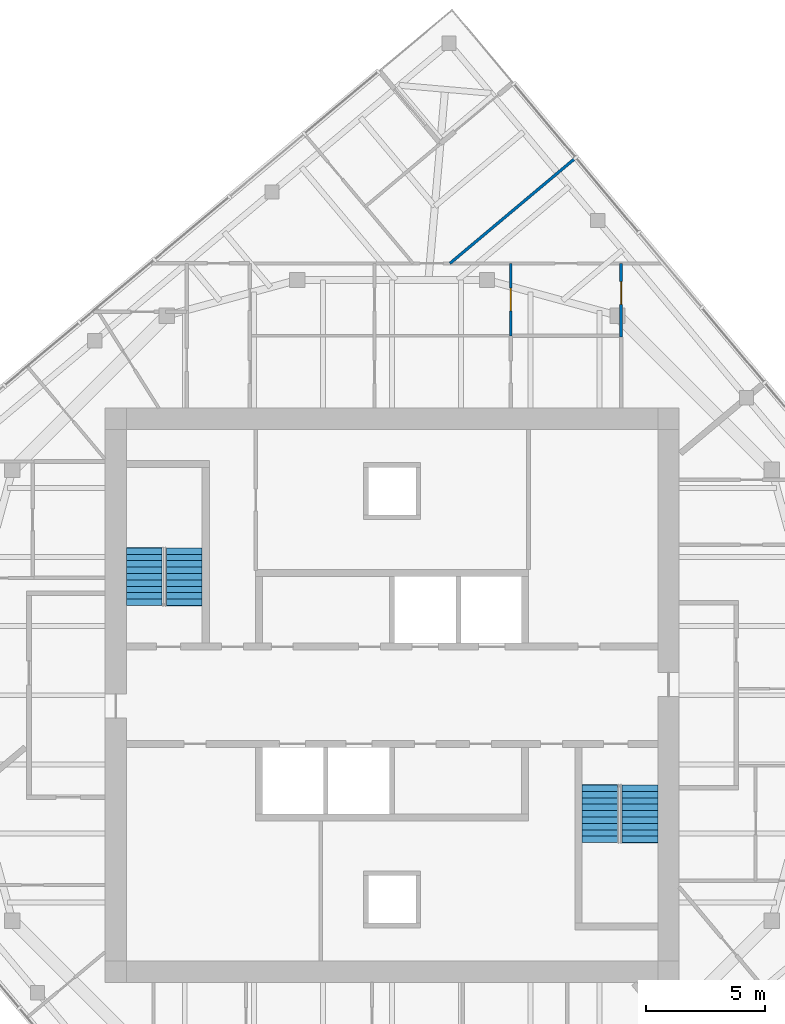
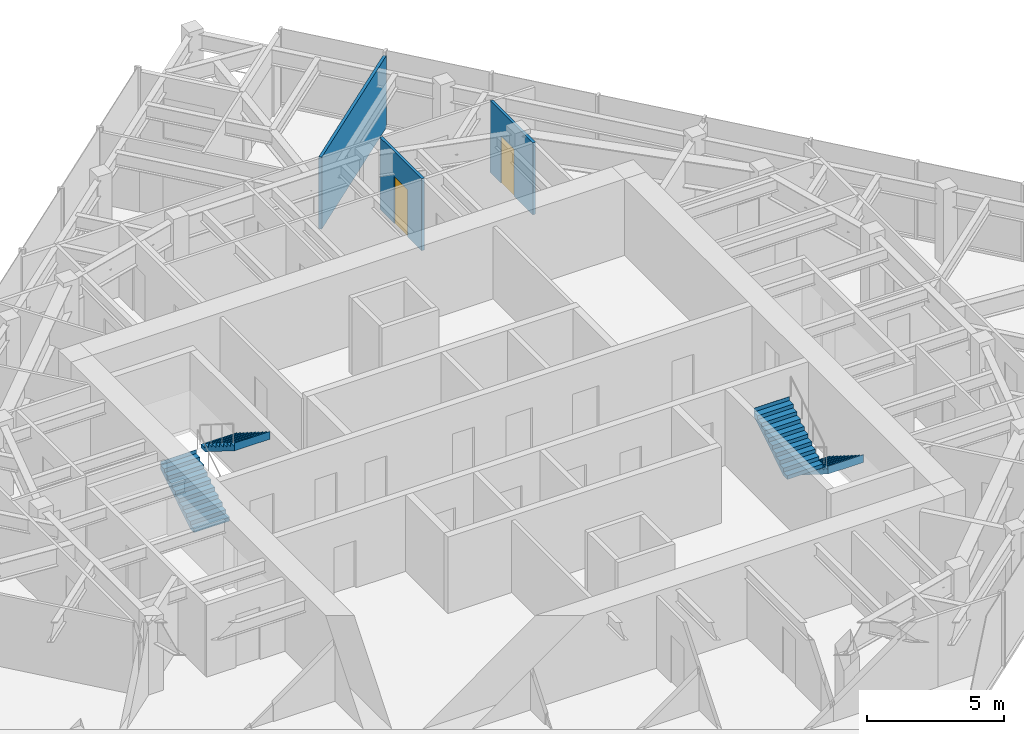
# One storey, part 11 of 12: 4 stair flights, 3 walls, 2 doors, 2 openings, 2 elements without a shape of their own.
"""IFC4 building model written with IfcOpenShell, lengths in metres."""

from ifc_helpers import new_model, si_unit, direction, frame, frame_2d, origin, place, context, subcontext, project, spatial, polyline, rectangle, outline, extrude, material, layer, layer_set, type_object, element, fill, aggregate, save


model = new_model("IFC4")

# Units and contexts
model_context = context("Model", 3, precision=1e-05, world=origin(), true_north=direction((0.0, 1.0)))
body_context = subcontext(model_context, "Body", "Model", "MODEL_VIEW")
ifc_project = project(units=[si_unit("LENGTHUNIT", "METRE"), si_unit("AREAUNIT", "SQUARE_METRE"), si_unit("VOLUMEUNIT", "CUBIC_METRE"), si_unit("PLANEANGLEUNIT", "RADIAN"), si_unit("MASSUNIT", "GRAM", prefix="KILO")], contexts=[model_context])

# Site, building, storey
site_placement = place(None, origin())
site = spatial("IfcSite", under=ifc_project, at=site_placement, CompositionType="ELEMENT")
building_placement = place(site_placement, origin())
building = spatial("IfcBuilding", under=site, at=building_placement, Name="Torsade Residences", CompositionType="ELEMENT")
storey_placement = place(building_placement, frame((0.0, 0.0, 296.39990234375)))
storey = spatial("IfcBuildingStorey", under=building, at=storey_placement, Name="L82", CompositionType="ELEMENT", Elevation=296.39990234375)

# Wall, opening, door
ifc_material_1 = material(Name="Plasterboard on steel stud", Category="steel")
ifc_layer = layer(ifc_material_1, 0.1201171875)
ifc_layer_set = layer_set([ifc_layer], Name="Plasterboard on steel stud")
wall_type = type_object("IfcWallType", Name="PARTITION 120", PredefinedType="PARTITIONING", material=ifc_layer_set)
wall_1_placement = place(storey_placement, frame((45.00341796875, 48.199951171875, 0.0), z_axis=(0.0, 0.0, 1.0), x_axis=(0.0, -1.0, 0.0)))
wall_1 = element("IfcWall", 1, at=wall_1_placement, inside=storey, type_object=wall_type, Name="Partition L82", PredefinedType="PARTITIONING", context=body_context, shape_type="SweptSolid", body=[
    extrude(rectangle(XDim=3.050048828125, YDim=0.1201171875, at=frame_2d((1.52490234375, 0.0))), origin(), (0.0, 0.0, 1.0), 3.2001953125),
])
opening_1_placement = place(wall_1_placement, frame((1.044921875, 0.0, 0.0)))
opening_1 = element("IfcOpeningElement", 2, at=opening_1_placement, cuts=wall_1, Name="Opening D05", PredefinedType="OPENING", context=body_context, shape_type="SweptSolid", body=[
    extrude(rectangle(XDim=0.9599609375, YDim=2.10009765625, at=frame_2d((0.47998046875, 1.050048828125))), frame((0.0, 0.070068359375, 0.0), z_axis=(0.0, -1.0, 0.0), x_axis=(1.0, 0.0, 0.0)), (0.0, 0.0, 1.0), 0.14013671875),
])
ifc_material_2 = material(Name="Hollow-core timber door in a steel cavity frame", Category="steel")
door_type = type_object("IfcDoorType", Name="BATHROOM CAVITY SLIDING DOOR 960", OperationType="SLIDING_TO_LEFT", PredefinedType="DOOR", material=ifc_material_2)
door_1_placement = place(opening_1_placement, origin())
door_1 = element("IfcDoor", 3, at=door_1_placement, inside=storey, type_object=door_type, Name="Door Ensuite to Walk-in robe", OperationType="SLIDING_TO_LEFT", OverallHeight=2.10009765625, OverallWidth=0.9599609375, PredefinedType="DOOR", context=body_context, shape_type="SweptSolid", body=[
    extrude(rectangle(XDim=0.9599609375, YDim=2.10009765625, at=frame_2d((0.47998046875, 1.050048828125))), frame((0.0, 0.02490234375, 0.0), z_axis=(0.0, -1.0, 0.0), x_axis=(1.0, 0.0, 0.0)), (0.0, 0.0, 1.0), 0.050048828125),
])
fill(opening_1, door_1)

wall_2_placement = place(storey_placement, frame((49.652099609375, 45.10009765625, 0.0), z_axis=(0.0, 0.0, 1.0), x_axis=(0.0, 1.0, 0.0)))
wall_2 = element("IfcWall", 4, at=wall_2_placement, inside=storey, type_object=wall_type, Name="Partition L82", PredefinedType="PARTITIONING", context=body_context, shape_type="SweptSolid", body=[
    extrude(rectangle(XDim=3.099853515625, YDim=0.1201171875, at=frame_2d((1.5498046875, 0.0))), origin(), (0.0, 0.0, 1.0), 3.2001953125),
])
opening_2_placement = place(wall_2_placement, frame((1.3701171875, 0.0, 0.0)))
opening_2 = element("IfcOpeningElement", 5, at=opening_2_placement, cuts=wall_2, Name="Opening D05", PredefinedType="OPENING", context=body_context, shape_type="SweptSolid", body=[
    extrude(rectangle(XDim=0.9599609375, YDim=2.10009765625, at=frame_2d((0.47998046875, 1.050048828125))), frame((0.0, 0.070068359375, 0.0), z_axis=(0.0, -1.0, 0.0), x_axis=(1.0, 0.0, 0.0)), (0.0, 0.0, 1.0), 0.14013671875),
])
door_2_placement = place(opening_2_placement, origin())
door_2 = element("IfcDoor", 6, at=door_2_placement, inside=storey, type_object=door_type, Name="Door Walk-in robe to Laundry", OperationType="SLIDING_TO_LEFT", OverallHeight=2.10009765625, OverallWidth=0.9599609375, PredefinedType="DOOR", context=body_context, shape_type="SweptSolid", body=[
    extrude(rectangle(XDim=0.9599609375, YDim=2.10009765625, at=frame_2d((0.47998046875, 1.050048828125))), frame((0.0, 0.02490234375, 0.0), z_axis=(0.0, -1.0, 0.0), x_axis=(1.0, 0.0, 0.0)), (0.0, 0.0, 1.0), 0.050048828125),
])
fill(opening_2, door_2)

# Wall
wall_3_placement = place(storey_placement, frame((47.71875, 52.63134765625, 0.0), z_axis=(0.0, 0.0, 1.0), x_axis=(-0.766036842262, -0.642796667926, 0.0)))
element("IfcWall", 7, at=wall_3_placement, inside=storey, type_object=wall_type, Name="Partition L82", PredefinedType="PARTITIONING", context=body_context, shape_type="SweptSolid", body=[
    extrude(rectangle(XDim=6.89404296875, YDim=0.1201171875, at=frame_2d((3.447021484375, 0.0))), origin(), (0.0, 0.0, 1.0), 3.2001953125),
])

# Stair, stair flights
ifc_material_3 = material(Name="Precast concrete 40 MPa", Category="concrete")
stair_type = type_object("IfcStairType", Name="HALF-TURN FIRE STAIR 1500x3400", PredefinedType="HALF_TURN_STAIR", material=ifc_material_3)
stair_1_placement = place(storey_placement, origin())
stair_1 = element("IfcStair", 8, at=stair_1_placement, inside=storey, type_object=stair_type, Name="Stair ST1 L82", PredefinedType="HALF_TURN_STAIR")
ifc_material_4 = material(Name="Precast concrete 40 MPa", Category="concrete")
stair_flight_type = type_object("IfcStairFlightType", Name="PRECAST STAIR FLIGHT 1500x1700", PredefinedType="STRAIGHT", material=ifc_material_4)
stair_flight_1_placement = place(storey_placement, frame((29.550048828125, 33.780029296875, 0.0), z_axis=(0.0, 0.0, 1.0), x_axis=(0.0, 1.0, 0.0)))
stair_flight_1 = element("IfcStairFlight", 9, at=stair_flight_1_placement, type_object=stair_flight_type, Name="ST1 flight 1", NumberOfRisers=10, NumberOfTreads=9, PredefinedType="STRAIGHT", RiserHeight=0.17, TreadLength=0.27, context=body_context, shape_type="SweptSolid", body=[
    extrude(outline(polyline([(0.0, 0.0), (0.0, 0.169921875), (0.27001953125, 0.169921875), (0.27001953125, 0.340087890625), (0.5400390625, 0.340087890625), (0.5400390625, 0.510009765625), (0.81005859375, 0.510009765625), (0.81005859375, 0.679931640625), (1.080078125, 0.679931640625), (1.080078125, 0.85009765625), (1.35009765625, 0.85009765625), (1.35009765625, 1.02001953125), (1.6201171875, 1.02001953125), (1.6201171875, 1.18994140625), (1.889892578125, 1.18994140625), (1.889892578125, 1.360107421875), (2.159912109375, 1.360107421875), (2.159912109375, 1.530029296875), (2.429931640625, 1.530029296875), (2.429931640625, 1.699951171875), (2.43994140625, 1.699951171875), (2.43994140625, 1.352783203125), (2.429931640625, 1.352783203125), (0.28125, 0.0), (0.0, 0.0)])), frame((0.0, 0.75, 0.0), z_axis=(0.0, -1.0, 0.0), x_axis=(1.0, 0.0, 0.0)), (0.0, 0.0, 1.0), 1.5),
])
stair_flight_2_placement = place(storey_placement, frame((31.25, 36.2099609375, 1.7001953125), z_axis=(0.0, 0.0, 1.0), x_axis=(0.0, -1.0, 0.0)))
stair_flight_2 = element("IfcStairFlight", 10, at=stair_flight_2_placement, type_object=stair_flight_type, Name="ST1 flight 2", NumberOfRisers=10, NumberOfTreads=9, PredefinedType="STRAIGHT", RiserHeight=0.17, TreadLength=0.27, context=body_context, shape_type="SweptSolid", body=[
    extrude(outline(polyline([(0.0, 0.0), (0.0, 0.169921875), (0.27001953125, 0.169921875), (0.27001953125, 0.340087890625), (0.5400390625, 0.340087890625), (0.5400390625, 0.510009765625), (0.81005859375, 0.510009765625), (0.81005859375, 0.679931640625), (1.080078125, 0.679931640625), (1.080078125, 0.85009765625), (1.35009765625, 0.85009765625), (1.35009765625, 1.02001953125), (1.6201171875, 1.02001953125), (1.6201171875, 1.18994140625), (1.889892578125, 1.18994140625), (1.889892578125, 1.360107421875), (2.159912109375, 1.360107421875), (2.159912109375, 1.530029296875), (2.429931640625, 1.530029296875), (2.429931640625, 1.699951171875), (2.43994140625, 1.699951171875), (2.43994140625, 1.352783203125), (2.429931640625, 1.352783203125), (0.28125, 0.0), (0.0, 0.0)])), frame((0.0, 0.75, 0.0), z_axis=(0.0, -1.0, 0.0), x_axis=(1.0, 0.0, 0.0)), (0.0, 0.0, 1.0), 1.5),
])
aggregate(stair_1, [stair_flight_1, stair_flight_2])

stair_2_placement = place(storey_placement, origin())
stair_2 = element("IfcStair", 11, at=stair_2_placement, inside=storey, type_object=stair_type, Name="Stair ST2 L82", PredefinedType="HALF_TURN_STAIR")
stair_flight_3_placement = place(storey_placement, frame((50.449951171875, 26.219970703125, 0.0), z_axis=(0.0, 0.0, 1.0), x_axis=(0.0, -1.0, 0.0)))
stair_flight_3 = element("IfcStairFlight", 12, at=stair_flight_3_placement, type_object=stair_flight_type, Name="ST2 flight 1", NumberOfRisers=10, NumberOfTreads=9, PredefinedType="STRAIGHT", RiserHeight=0.17, TreadLength=0.27, context=body_context, shape_type="SweptSolid", body=[
    extrude(outline(polyline([(0.0, 0.0), (0.0, 0.169921875), (0.27001953125, 0.169921875), (0.27001953125, 0.340087890625), (0.5400390625, 0.340087890625), (0.5400390625, 0.510009765625), (0.81005859375, 0.510009765625), (0.81005859375, 0.679931640625), (1.080078125, 0.679931640625), (1.080078125, 0.85009765625), (1.35009765625, 0.85009765625), (1.35009765625, 1.02001953125), (1.6201171875, 1.02001953125), (1.6201171875, 1.18994140625), (1.889892578125, 1.18994140625), (1.889892578125, 1.360107421875), (2.159912109375, 1.360107421875), (2.159912109375, 1.530029296875), (2.429931640625, 1.530029296875), (2.429931640625, 1.699951171875), (2.43994140625, 1.699951171875), (2.43994140625, 1.352783203125), (2.429931640625, 1.352783203125), (0.28125, 0.0), (0.0, 0.0)])), frame((0.0, 0.75, 0.0), z_axis=(0.0, -1.0, 0.0), x_axis=(1.0, 0.0, 0.0)), (0.0, 0.0, 1.0), 1.5),
])
stair_flight_4_placement = place(storey_placement, frame((48.75, 23.7900390625, 1.7001953125), z_axis=(0.0, 0.0, 1.0), x_axis=(0.0, 1.0, 0.0)))
stair_flight_4 = element("IfcStairFlight", 13, at=stair_flight_4_placement, type_object=stair_flight_type, Name="ST2 flight 2", NumberOfRisers=10, NumberOfTreads=9, PredefinedType="STRAIGHT", RiserHeight=0.17, TreadLength=0.27, context=body_context, shape_type="SweptSolid", body=[
    extrude(outline(polyline([(0.0, 0.0), (0.0, 0.169921875), (0.27001953125, 0.169921875), (0.27001953125, 0.340087890625), (0.5400390625, 0.340087890625), (0.5400390625, 0.510009765625), (0.81005859375, 0.510009765625), (0.81005859375, 0.679931640625), (1.080078125, 0.679931640625), (1.080078125, 0.85009765625), (1.35009765625, 0.85009765625), (1.35009765625, 1.02001953125), (1.6201171875, 1.02001953125), (1.6201171875, 1.18994140625), (1.889892578125, 1.18994140625), (1.889892578125, 1.360107421875), (2.159912109375, 1.360107421875), (2.159912109375, 1.530029296875), (2.429931640625, 1.530029296875), (2.429931640625, 1.699951171875), (2.43994140625, 1.699951171875), (2.43994140625, 1.352783203125), (2.429931640625, 1.352783203125), (0.28125, 0.0), (0.0, 0.0)])), frame((0.0, 0.75, 0.0), z_axis=(0.0, -1.0, 0.0), x_axis=(1.0, 0.0, 0.0)), (0.0, 0.0, 1.0), 1.5),
])
aggregate(stair_2, [stair_flight_3, stair_flight_4])

save(model, "model.ifc")
